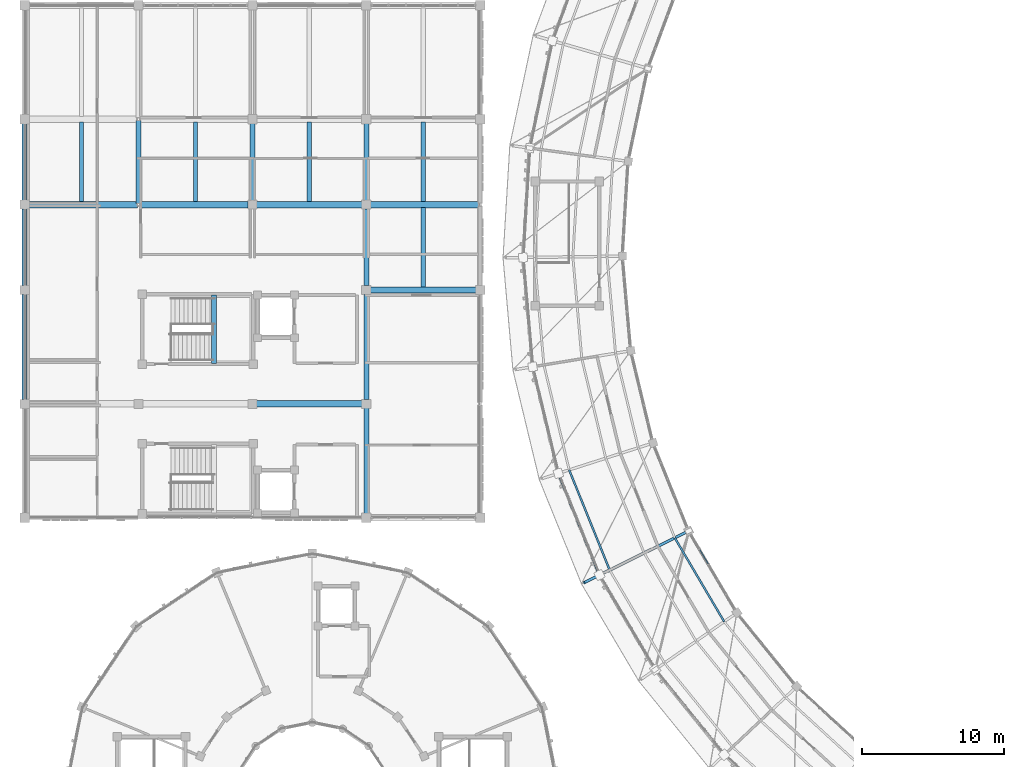
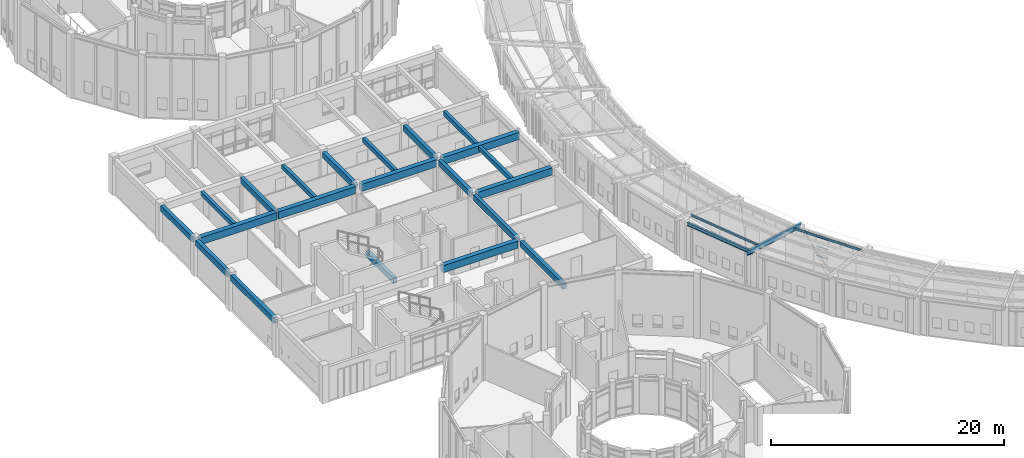
# One storey, part 23 of 149: 22 beams, 6 members, 1 element without a shape of its own.
"""IFC4 building model written with IfcOpenShell, lengths in metres."""

from ifc_helpers import new_model, si_unit, direction, frame, origin, origin_2d, place, context, subcontext, project, spatial, rectangle, hollow_rectangle, i_section, extrude, material, material_profile, profile_set, type_object, element, aggregate, save


model = new_model("IFC4")

# Units and contexts
model_context = context("Model", 3, precision=1e-05, world=origin(), true_north=direction((0.0, 1.0)))
body_context = subcontext(model_context, "Body", "Model", "MODEL_VIEW")
ifc_project = project(units=[si_unit("LENGTHUNIT", "METRE"), si_unit("AREAUNIT", "SQUARE_METRE"), si_unit("VOLUMEUNIT", "CUBIC_METRE"), si_unit("PLANEANGLEUNIT", "RADIAN"), si_unit("MASSUNIT", "GRAM", prefix="KILO")], contexts=[model_context])

# Site, building, storey
site_placement = place(None, origin())
site = spatial("IfcSite", under=ifc_project, at=site_placement, CompositionType="ELEMENT")
building_placement = place(site_placement, origin())
building = spatial("IfcBuilding", under=site, at=building_placement, Name="Celadon Cloister-Ring School", CompositionType="ELEMENT")
storey_placement = place(building_placement, frame((0.0, 0.0, 12.5)))
storey = spatial("IfcBuildingStorey", under=building, at=storey_placement, Name="L03", CompositionType="ELEMENT", Elevation=12.5)

# Beams
ifc_material_1 = material(Name="Concrete C35/45", Category="concrete")
ifc_material_profile_1 = material_profile(ifc_material_1, rectangle(XDim=0.35009765625, YDim=0.60009765625, at=origin_2d()), Name="RC350X600")
ifc_profile_set_1 = profile_set([ifc_material_profile_1], Name="Concrete C35/45")
beam_type_1 = type_object("IfcBeamType", Name="BT-02", PredefinedType="BEAM", material=ifc_profile_set_1)
beam_1_placement = place(storey_placement, frame((0.0, 48.300048828125, 3.4599609375), z_axis=(0.0, 1.0, 0.0), x_axis=(-1.0, 0.0, 0.0)))
element("IfcBeam", 1, at=beam_1_placement, inside=storey, type_object=beam_type_1, Name="Beam 1621", PredefinedType="BEAM", context=body_context, shape_type="SweptSolid", body=[
    extrude(rectangle(XDim=0.35009765625, YDim=0.60009765625, at=origin_2d()), origin(), (0.0, 0.0, 1.0), 7.39990234375),
])
for number, where, z_axis, x_axis, name in (
    (2, (0.0, 56.300048828125, 3.4599609375), (0.0, 1.0, 0.0), (-1.0, 0.0, 0.0), "Beam 1622"),
    (3, (0.0, 62.300048828125, 3.4599609375), (0.0, 1.0, 0.0), (-1.0, 0.0, 0.0), "Beam 1623"),
):
    element("IfcBeam", number, at=place(storey_placement, frame(where, z_axis=z_axis, x_axis=x_axis)), inside=storey, type_object=beam_type_1, Name=name, PredefinedType="BEAM", context=body_context, shape_type="SweptSolid", body=[
        extrude(rectangle(XDim=0.35009765625, YDim=0.60009765625, at=origin_2d()), origin(), (0.0, 0.0, 1.0), 5.39990234375),
    ])
beam_2_placement = place(storey_placement, frame((8.0, 62.0849609375, 3.4599609375), z_axis=(0.0, 1.0, 0.0), x_axis=(-1.0, 0.0, 0.0)))
element("IfcBeam", 4, at=beam_2_placement, inside=storey, type_object=beam_type_1, Name="Beam 1625", PredefinedType="BEAM", context=body_context, shape_type="SweptSolid", body=[
    extrude(rectangle(XDim=0.35009765625, YDim=0.60009765625, at=origin_2d()), origin(), (0.0, 0.0, 1.0), 5.830078125),
])
beam_3_placement = place(storey_placement, frame((16.0, 62.300048828125, 3.4599609375), z_axis=(0.0, 1.0, 0.0), x_axis=(-1.0, 0.0, 0.0)))
element("IfcBeam", 5, at=beam_3_placement, inside=storey, type_object=beam_type_1, Name="Beam 1627", PredefinedType="BEAM", context=body_context, shape_type="SweptSolid", body=[
    extrude(rectangle(XDim=0.35009765625, YDim=0.60009765625, at=origin_2d()), origin(), (0.0, 0.0, 1.0), 5.39990234375),
])
for number, where, z_axis, x_axis, name in (
    (6, (24.0, 40.300048828125, 3.4599609375), (0.0, 1.0, 0.0), (-1.0, 0.0, 0.0), "Beam 1629"),
    (7, (24.0, 48.300048828125, 3.4599609375), (0.0, 1.0, 0.0), (-1.0, 0.0, 0.0), "Beam 1630"),
):
    element("IfcBeam", number, at=place(storey_placement, frame(where, z_axis=z_axis, x_axis=x_axis)), inside=storey, type_object=beam_type_1, Name=name, PredefinedType="BEAM", context=body_context, shape_type="SweptSolid", body=[
        extrude(rectangle(XDim=0.35009765625, YDim=0.60009765625, at=origin_2d()), origin(), (0.0, 0.0, 1.0), 7.39990234375),
    ])
for number, where, z_axis, x_axis, name in (
    (8, (24.0, 56.300048828125, 3.4599609375), (0.0, 1.0, 0.0), (-1.0, 0.0, 0.0), "Beam 1631"),
    (9, (24.0, 62.300048828125, 3.4599609375), (0.0, 1.0, 0.0), (-1.0, 0.0, 0.0), "Beam 1632"),
):
    element("IfcBeam", number, at=place(storey_placement, frame(where, z_axis=z_axis, x_axis=x_axis)), inside=storey, type_object=beam_type_1, Name=name, PredefinedType="BEAM", context=body_context, shape_type="SweptSolid", body=[
        extrude(rectangle(XDim=0.35009765625, YDim=0.60009765625, at=origin_2d()), origin(), (0.0, 0.0, 1.0), 5.39990234375),
    ])
beam_4_placement = place(storey_placement, frame((13.300048828125, 50.85009765625, 1.39990234375), z_axis=(0.0, 1.0, 0.0), x_axis=(-1.0, 0.0, 0.0)))
element("IfcBeam", 10, at=beam_4_placement, inside=storey, type_object=beam_type_1, Name="Stair Landing Beam 1729", PredefinedType="BEAM", context=body_context, shape_type="SweptSolid", body=[
    extrude(rectangle(XDim=0.35009765625, YDim=0.60009765625, at=origin_2d()), origin(), (0.0, 0.0, 1.0), 4.7998046875),
])

# Curtain wall, members
ifc_material_2 = material(Name="Aluminium EN AW-6063 T6", Category="aluminium")
curtain_wall_type = type_object("IfcCurtainWallType", Name="CW-02", PredefinedType="USERDEFINED", material=ifc_material_2)
curtain_wall_placement = place(storey_placement, origin())
curtain_wall = element("IfcCurtainWall", 11, at=curtain_wall_placement, inside=storey, type_object=curtain_wall_type, Name="Curtain Wall 0054", ObjectType="CURTAIN WALL", PredefinedType="USERDEFINED")
ifc_material_3 = material(Name="Aluminium EN AW-6063 T6", Category="aluminium")
ifc_material_profile_2 = material_profile(ifc_material_3, hollow_rectangle(XDim=0.074951171875, YDim=0.074951171875, WallThickness=0.00390625, at=origin_2d()), Name="RHS75X75X4")
ifc_profile_set_2 = profile_set([ifc_material_profile_2], Name="Aluminium EN AW-6063 T6")
member_type_1 = type_object("IfcMemberType", Name="CTM-03", PredefinedType="USERDEFINED", material=ifc_profile_set_2)
member_1_placement = place(storey_placement, frame((47.433837890625, 37.7490234375, 0.03759765625), z_axis=(0.507879286135, -0.861428250474, 0.0), x_axis=(0.861428250474, 0.507879286135, 0.0)))
member_1 = element("IfcMember", 12, at=member_1_placement, type_object=member_type_1, Name="CW-02 transom 2.1", ObjectType="TRANSOM", PredefinedType="USERDEFINED", context=body_context, shape_type="SweptSolid", body=[
    extrude(hollow_rectangle(XDim=0.074951171875, YDim=0.074951171875, WallThickness=0.00390625, at=origin_2d()), origin(), (0.0, 0.0, 1.0), 1.14208984375),
])
member_2_placement = place(storey_placement, frame((47.433837890625, 37.7490234375, 1.010009765625), z_axis=(0.507879286135, -0.861428250474, 0.0), x_axis=(0.861428250474, 0.507879286135, 0.0)))
member_2 = element("IfcMember", 13, at=member_2_placement, type_object=member_type_1, Name="CW-02 transom 2.2", ObjectType="TRANSOM", PredefinedType="USERDEFINED", context=body_context, shape_type="SweptSolid", body=[
    extrude(hollow_rectangle(XDim=0.074951171875, YDim=0.074951171875, WallThickness=0.00390625, at=origin_2d()), origin(), (0.0, 0.0, 1.0), 1.14208984375),
])
member_3_placement = place(storey_placement, frame((47.433837890625, 37.7490234375, 1.982421875), z_axis=(0.507879286135, -0.861428250474, 0.0), x_axis=(0.861428250474, 0.507879286135, 0.0)))
member_3 = element("IfcMember", 14, at=member_3_placement, type_object=member_type_1, Name="CW-02 transom 2.3", ObjectType="TRANSOM", PredefinedType="USERDEFINED", context=body_context, shape_type="SweptSolid", body=[
    extrude(hollow_rectangle(XDim=0.074951171875, YDim=0.074951171875, WallThickness=0.00390625, at=origin_2d()), origin(), (0.0, 0.0, 1.0), 1.14208984375),
])
aggregate(curtain_wall, [member_1, member_2, member_3])

# Beams
ifc_material_4 = material(Name="Concrete C35/45", Category="concrete")
ifc_material_profile_3 = material_profile(ifc_material_4, rectangle(XDim=0.449951171875, YDim=0.75, at=origin_2d()), Name="RC450X750")
ifc_profile_set_3 = profile_set([ifc_material_profile_3], Name="Concrete C35/45")
beam_type_2 = type_object("IfcBeamType", Name="GT-02", PredefinedType="USERDEFINED", material=ifc_profile_set_3)
for number, where, z_axis, x_axis, name in (
    (15, (16.300048828125, 48.0, 3.385009765625), (1.0, 0.0, 0.0), (0.0, 1.0, 0.0), "Beam 1606"),
    (16, (24.300048828125, 56.0, 3.385009765625), (1.0, 0.0, 0.0), (0.0, 1.0, 0.0), "Beam 1607"),
):
    element("IfcBeam", number, at=place(storey_placement, frame(where, z_axis=z_axis, x_axis=x_axis)), inside=storey, type_object=beam_type_2, Name=name, ObjectType="GIRDER", PredefinedType="USERDEFINED", context=body_context, shape_type="SweptSolid", body=[
        extrude(rectangle(XDim=0.449951171875, YDim=0.75, at=origin_2d()), origin(), (0.0, 0.0, 1.0), 7.39990234375),
    ])
for number, where, z_axis, x_axis, name in (
    (17, (0.300048828125, 62.0, 3.385009765625), (1.0, 0.0, 0.0), (0.0, 1.0, 0.0), "Beam 1608"),
    (18, (8.0849609375, 62.0, 3.385009765625), (1.0, 0.0, 0.0), (0.0, 1.0, 0.0), "Beam 1609"),
):
    element("IfcBeam", number, at=place(storey_placement, frame(where, z_axis=z_axis, x_axis=x_axis)), inside=storey, type_object=beam_type_2, Name=name, ObjectType="GIRDER", PredefinedType="USERDEFINED", context=body_context, shape_type="SweptSolid", body=[
        extrude(rectangle(XDim=0.449951171875, YDim=0.75, at=origin_2d()), origin(), (0.0, 0.0, 1.0), 7.614990234375),
    ])
beam_5_placement = place(storey_placement, frame((16.300048828125, 62.0, 3.385009765625), z_axis=(1.0, 0.0, 0.0), x_axis=(0.0, 1.0, 0.0)))
element("IfcBeam", 19, at=beam_5_placement, inside=storey, type_object=beam_type_2, Name="Beam 1610", ObjectType="GIRDER", PredefinedType="USERDEFINED", context=body_context, shape_type="SweptSolid", body=[
    extrude(rectangle(XDim=0.449951171875, YDim=0.75, at=origin_2d()), origin(), (0.0, 0.0, 1.0), 7.39990234375),
])
beam_6_placement = place(storey_placement, frame((24.300048828125, 62.0, 3.385009765625), z_axis=(1.0, 0.0, 0.0), x_axis=(0.0, 1.0, 0.0)))
element("IfcBeam", 20, at=beam_6_placement, inside=storey, type_object=beam_type_2, Name="Beam 1611", ObjectType="GIRDER", PredefinedType="USERDEFINED", context=body_context, shape_type="SweptSolid", body=[
    extrude(rectangle(XDim=0.449951171875, YDim=0.75, at=origin_2d()), origin(), (0.0, 0.0, 1.0), 7.614990234375),
])
ifc_material_5 = material(Name="Concrete C35/45", Category="concrete")
ifc_material_profile_4 = material_profile(ifc_material_5, rectangle(XDim=0.300048828125, YDim=0.449951171875, at=origin_2d()), Name="RC300X450")
ifc_profile_set_4 = profile_set([ifc_material_profile_4], Name="Concrete C35/45")
beam_type_3 = type_object("IfcBeamType", Name="JT-01", PredefinedType="JOIST", material=ifc_profile_set_4)
for number, where, z_axis, x_axis, name in (
    (21, (4.0, 62.199951171875, 3.534912109375), (0.0, 1.0, 0.0), (-1.0, 0.0, 0.0), "Beam 1639"),
    (22, (12.0, 62.199951171875, 3.534912109375), (0.0, 1.0, 0.0), (-1.0, 0.0, 0.0), "Beam 1641"),
    (23, (20.0, 62.199951171875, 3.534912109375), (0.0, 1.0, 0.0), (-1.0, 0.0, 0.0), "Beam 1643"),
    (24, (28.0, 56.199951171875, 3.534912109375), (0.0, 1.0, 0.0), (-1.0, 0.0, 0.0), "Beam 1645"),
    (25, (28.0, 62.199951171875, 3.534912109375), (0.0, 1.0, 0.0), (-1.0, 0.0, 0.0), "Beam 1646"),
):
    element("IfcBeam", number, at=place(storey_placement, frame(where, z_axis=z_axis, x_axis=x_axis)), inside=storey, type_object=beam_type_3, Name=name, PredefinedType="JOIST", context=body_context, shape_type="SweptSolid", body=[
        extrude(rectangle(XDim=0.300048828125, YDim=0.449951171875, at=origin_2d()), origin(), (0.0, 0.0, 1.0), 5.60009765625),
    ])

# Members
ifc_material_6 = material(Name="Structural steel S355JR", Category="steel")
ifc_material_profile_5 = material_profile(ifc_material_6, i_section(OverallWidth=0.133056640625, OverallDepth=0.20703125, WebThickness=0.005859375, FlangeThickness=0.00830078125, at=origin_2d()), Name="W200X27")
ifc_profile_set_5 = profile_set([ifc_material_profile_5], Name="Structural steel S355JR")
member_type_2 = type_object("IfcMemberType", Name="MP-04", PredefinedType="PURLIN", material=ifc_profile_set_5)
member_4_placement = place(storey_placement, frame((38.2470703125, 43.362060546875, 4.073974609375), z_axis=(0.375089370525, -0.926988653716, 0.0), x_axis=(0.926988653716, 0.375089370525, 0.0)))
element("IfcMember", 26, at=member_4_placement, inside=storey, type_object=member_type_2, Name="Structural Member 0124", PredefinedType="PURLIN", context=body_context, shape_type="SweptSolid", body=[
    extrude(i_section(OverallWidth=0.133056640625, OverallDepth=0.20703125, WebThickness=0.005859375, FlangeThickness=0.00830078125, at=origin_2d()), origin(), (0.0, 0.0, 1.0), 7.584716796875),
])
member_5_placement = place(storey_placement, frame((45.6650390625, 38.589111328125, 2.970947265625), z_axis=(0.507930613581, -0.861397986872, 0.0), x_axis=(0.861397986872, 0.507930613581, 0.0)))
element("IfcMember", 27, at=member_5_placement, inside=storey, type_object=member_type_2, Name="Structural Member 0127", PredefinedType="PURLIN", context=body_context, shape_type="SweptSolid", body=[
    extrude(i_section(OverallWidth=0.133056640625, OverallDepth=0.20703125, WebThickness=0.005859375, FlangeThickness=0.00830078125, at=origin_2d()), origin(), (0.0, 0.0, 1.0), 6.82958984375),
])
ifc_material_7 = material(Name="Structural steel S355JR", Category="steel")
ifc_material_profile_6 = material_profile(ifc_material_7, i_section(OverallWidth=0.18994140625, OverallDepth=0.45703125, WebThickness=0.009033203125, FlangeThickness=0.014404296875, at=origin_2d()), Name="W460X74")
ifc_profile_set_6 = profile_set([ifc_material_profile_6], Name="Structural steel S355JR")
member_type_3 = type_object("IfcMemberType", Name="MR-03", PredefinedType="RAFTER", material=ifc_profile_set_6)
member_6_placement = place(storey_placement, frame((46.65087890625, 39.075927734375, 2.674072265625), z_axis=(-0.874514151849, -0.431898995992, 0.220654153547), x_axis=(0.442813410862, -0.896613787068, 0.0)))
element("IfcMember", 28, at=member_6_placement, inside=storey, type_object=member_type_3, Name="Structural Member 0022", PredefinedType="RAFTER", context=body_context, shape_type="SweptSolid", body=[
    extrude(i_section(OverallWidth=0.18994140625, OverallDepth=0.45703125, WebThickness=0.009033203125, FlangeThickness=0.014404296875, at=origin_2d()), origin(), (0.0, 0.0, 1.0), 8.40673828125),
])

# Beam
ifc_material_8 = material(Name="Structural steel S355JR", Category="steel")
ifc_material_profile_7 = material_profile(ifc_material_8, i_section(OverallWidth=0.1708984375, OverallDepth=0.35498046875, WebThickness=0.007080078125, FlangeThickness=0.01171875, at=origin_2d()), Name="W360X51")
ifc_profile_set_7 = profile_set([ifc_material_profile_7], Name="Structural steel S355JR")
beam_type_4 = type_object("IfcBeamType", Name="SP-04", PredefinedType="SPANDREL", material=ifc_profile_set_7)
beam_7_placement = place(storey_placement, frame((37.587890625, 42.863037109375, 3.722900390625), z_axis=(0.37520043771, -0.926943704624, 0.0), x_axis=(0.926943704624, 0.37520043771, 0.0)))
element("IfcBeam", 29, at=beam_7_placement, inside=storey, type_object=beam_type_4, Name="Beam 0542", PredefinedType="SPANDREL", context=body_context, shape_type="SweptSolid", body=[
    extrude(i_section(OverallWidth=0.1708984375, OverallDepth=0.35498046875, WebThickness=0.007080078125, FlangeThickness=0.01171875, at=origin_2d()), origin(), (0.0, 0.0, 1.0), 7.15380859375),
])

save(model, "model.ifc")
